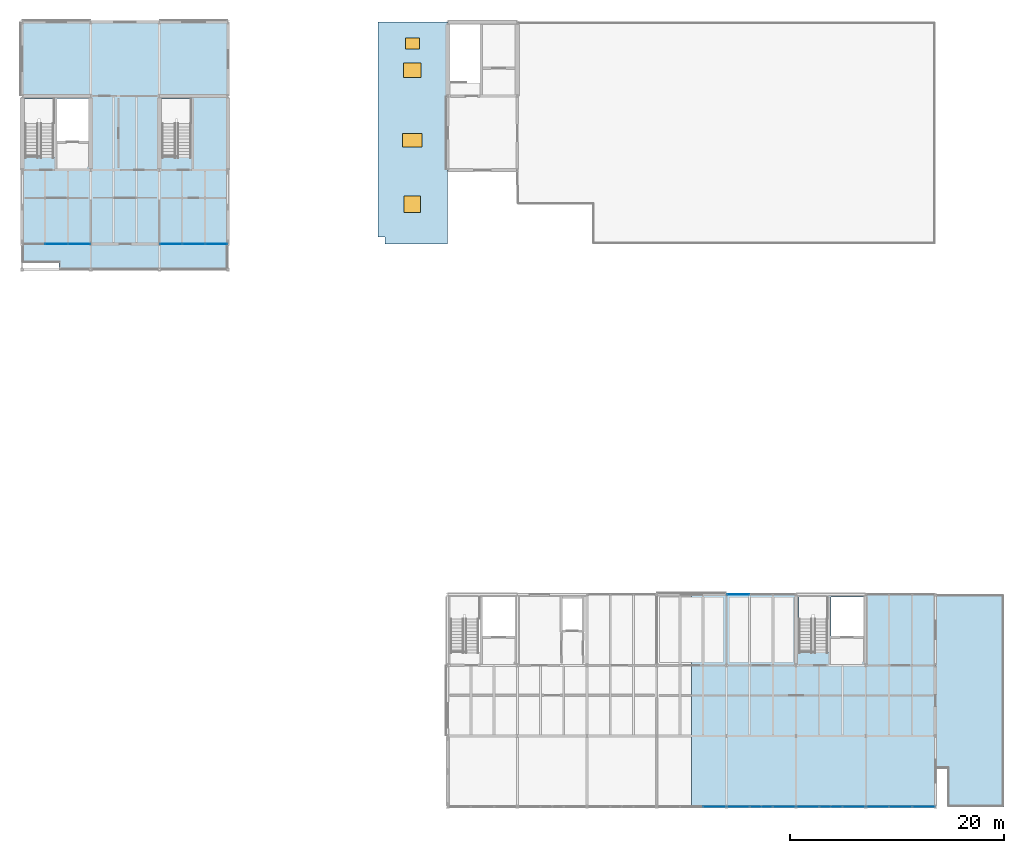
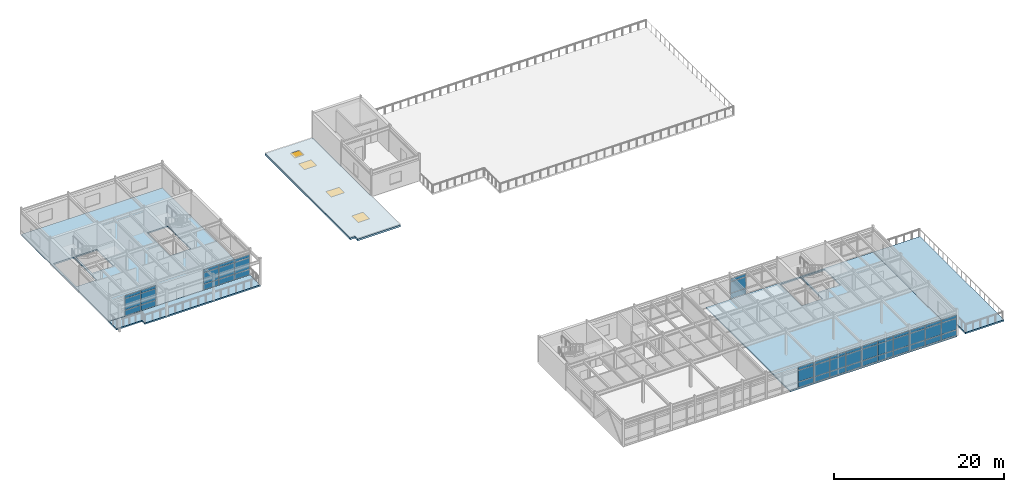
# One storey, part 14 of 26: 48 plates, 5 slabs, 3 windows, 1 door, 4 openings, 7 elements without a shape of their own.
"""IFC4 building model written with IfcOpenShell, lengths in metres."""

from ifc_helpers import new_model, si_unit, direction, frame, origin, origin_2d, place, context, subcontext, project, spatial, polyline, rectangle, outline, extrude, material, layer, layer_set, type_object, element, fill, aggregate, save


model = new_model("IFC4")

# Units and contexts
model_context = context("Model", 3, precision=1e-05, world=origin(), true_north=direction((0.0, 1.0)))
body_context = subcontext(model_context, "Body", "Model", "MODEL_VIEW")
ifc_project = project(units=[si_unit("LENGTHUNIT", "METRE"), si_unit("AREAUNIT", "SQUARE_METRE"), si_unit("VOLUMEUNIT", "CUBIC_METRE"), si_unit("PLANEANGLEUNIT", "RADIAN"), si_unit("MASSUNIT", "GRAM", prefix="KILO")], contexts=[model_context])

# Site, building, storey
site_placement = place(None, origin())
site = spatial("IfcSite", under=ifc_project, at=site_placement, CompositionType="ELEMENT")
building_placement = place(site_placement, origin())
building = spatial("IfcBuilding", under=site, at=building_placement, Name="Trelmorton Wharf Fire Station", CompositionType="ELEMENT")
storey_placement = place(building_placement, frame((0.0, 0.0, 17.39990234375)))
storey = spatial("IfcBuildingStorey", under=building, at=storey_placement, Name="L04", CompositionType="ELEMENT", Elevation=17.39990234375)

# Curtain wall, plates
ifc_material_1 = material(Name="Anodised aluminium AW-6063", Category="aluminium")
ifc_layer_1 = layer(ifc_material_1, 0.159912109375)
ifc_layer_set_1 = layer_set([ifc_layer_1], Name="Anodised aluminium AW-6063")
curtain_wall_type_1 = type_object("IfcCurtainWallType", Name="CW_CHIC_A", PredefinedType="USERDEFINED", material=ifc_layer_set_1)
curtain_wall_1_placement = place(storey_placement, origin())
curtain_wall_1 = element("IfcCurtainWall", 1, at=curtain_wall_1_placement, inside=storey, type_object=curtain_wall_type_1, Name="CW-V5-L04-076", ObjectType="CHICAGO BAY CURTAIN WALL", PredefinedType="USERDEFINED")
ifc_material_2 = material(Name="Tempered low-E double glazing", Category="glass")
ifc_layer_2 = layer(ifc_material_2, 0.028076171875)
ifc_layer_set_2 = layer_set([ifc_layer_2], Name="Tempered low-E double glazing")
plate_type_1 = type_object("IfcPlateType", Name="CWP_GLAZ_28", PredefinedType="CURTAIN_PANEL", material=ifc_layer_set_2)
plate_1_placement = place(storey_placement, frame((141.8984375, 7.800048828125, 0.06005859375), z_axis=(0.0, 0.0, 1.0), x_axis=(-1.0, 0.0, 0.0)))
plate_1 = element("IfcPlate", 2, at=plate_1_placement, type_object=plate_type_1, Name="CW1 panel 1.1", PredefinedType="CURTAIN_PANEL", context=body_context, shape_type="SweptSolid", body=[
    extrude(rectangle(XDim=2.0732421875, YDim=0.028076171875, at=origin_2d()), origin(), (0.0, 0.0, 1.0), 0.760009765625),
])
plate_2_placement = place(storey_placement, frame((141.8984375, 7.800048828125, 0.8798828125), z_axis=(0.0, 0.0, 1.0), x_axis=(-1.0, 0.0, 0.0)))
plate_2 = element("IfcPlate", 3, at=plate_2_placement, type_object=plate_type_1, Name="CW1 panel 1.2", PredefinedType="CURTAIN_PANEL", context=body_context, shape_type="SweptSolid", body=[
    extrude(rectangle(XDim=2.0732421875, YDim=0.028076171875, at=origin_2d()), origin(), (0.0, 0.0, 1.0), 1.610107421875),
])
plate_3_placement = place(storey_placement, frame((141.8984375, 7.800048828125, 2.55029296875), z_axis=(0.0, 0.0, 1.0), x_axis=(-1.0, 0.0, 0.0)))
plate_3 = element("IfcPlate", 4, at=plate_3_placement, type_object=plate_type_1, Name="CW1 panel 1.3", PredefinedType="CURTAIN_PANEL", context=body_context, shape_type="SweptSolid", body=[
    extrude(rectangle(XDim=2.0732421875, YDim=0.028076171875, at=origin_2d()), origin(), (0.0, 0.0, 1.0), 0.409912109375),
])
plate_4_placement = place(storey_placement, frame((139.75, 7.800048828125, 0.06005859375), z_axis=(0.0, 0.0, 1.0), x_axis=(-1.0, 0.0, 0.0)))
plate_4 = element("IfcPlate", 5, at=plate_4_placement, type_object=plate_type_1, Name="CW1 panel 2.1", PredefinedType="CURTAIN_PANEL", context=body_context, shape_type="SweptSolid", body=[
    extrude(rectangle(XDim=2.103271484375, YDim=0.028076171875, at=origin_2d()), origin(), (0.0, 0.0, 1.0), 0.760009765625),
])
plate_5_placement = place(storey_placement, frame((139.75, 7.800048828125, 0.8798828125), z_axis=(0.0, 0.0, 1.0), x_axis=(-1.0, 0.0, 0.0)))
plate_5 = element("IfcPlate", 6, at=plate_5_placement, type_object=plate_type_1, Name="CW1 panel 2.2", PredefinedType="CURTAIN_PANEL", context=body_context, shape_type="SweptSolid", body=[
    extrude(rectangle(XDim=2.103271484375, YDim=0.028076171875, at=origin_2d()), origin(), (0.0, 0.0, 1.0), 1.610107421875),
])
plate_6_placement = place(storey_placement, frame((139.75, 7.800048828125, 2.55029296875), z_axis=(0.0, 0.0, 1.0), x_axis=(-1.0, 0.0, 0.0)))
plate_6 = element("IfcPlate", 7, at=plate_6_placement, type_object=plate_type_1, Name="CW1 panel 2.3", PredefinedType="CURTAIN_PANEL", context=body_context, shape_type="SweptSolid", body=[
    extrude(rectangle(XDim=2.103271484375, YDim=0.028076171875, at=origin_2d()), origin(), (0.0, 0.0, 1.0), 0.409912109375),
])
plate_7_placement = place(storey_placement, frame((137.6015625, 7.800048828125, 0.06005859375), z_axis=(0.0, 0.0, 1.0), x_axis=(-1.0, 0.0, 0.0)))
plate_7 = element("IfcPlate", 8, at=plate_7_placement, type_object=plate_type_1, Name="CW1 panel 3.1", PredefinedType="CURTAIN_PANEL", context=body_context, shape_type="SweptSolid", body=[
    extrude(rectangle(XDim=2.0732421875, YDim=0.028076171875, at=origin_2d()), origin(), (0.0, 0.0, 1.0), 0.760009765625),
])
plate_8_placement = place(storey_placement, frame((137.6015625, 7.800048828125, 0.8798828125), z_axis=(0.0, 0.0, 1.0), x_axis=(-1.0, 0.0, 0.0)))
plate_8 = element("IfcPlate", 9, at=plate_8_placement, type_object=plate_type_1, Name="CW1 panel 3.2", PredefinedType="CURTAIN_PANEL", context=body_context, shape_type="SweptSolid", body=[
    extrude(rectangle(XDim=2.0732421875, YDim=0.028076171875, at=origin_2d()), origin(), (0.0, 0.0, 1.0), 1.610107421875),
])
plate_9_placement = place(storey_placement, frame((137.6015625, 7.800048828125, 2.55029296875), z_axis=(0.0, 0.0, 1.0), x_axis=(-1.0, 0.0, 0.0)))
plate_9 = element("IfcPlate", 10, at=plate_9_placement, type_object=plate_type_1, Name="CW1 panel 3.3", PredefinedType="CURTAIN_PANEL", context=body_context, shape_type="SweptSolid", body=[
    extrude(rectangle(XDim=2.0732421875, YDim=0.028076171875, at=origin_2d()), origin(), (0.0, 0.0, 1.0), 0.409912109375),
])
aggregate(curtain_wall_1, [plate_1, plate_2, plate_3, plate_4, plate_5, plate_6, plate_7, plate_8, plate_9])

ifc_layer_3 = layer(ifc_material_1, 0.175048828125)
ifc_layer_set_3 = layer_set([ifc_layer_3], Name="Anodised aluminium AW-6063")
curtain_wall_type_2 = type_object("IfcCurtainWallType", Name="CW_CHIC_B", PredefinedType="USERDEFINED", material=ifc_layer_set_3)
curtain_wall_2_placement = place(storey_placement, origin())
curtain_wall_2 = element("IfcCurtainWall", 11, at=curtain_wall_2_placement, inside=storey, type_object=curtain_wall_type_2, Name="CW-V5-L04-077", ObjectType="CHICAGO BAY CURTAIN WALL", PredefinedType="USERDEFINED")
plate_10_placement = place(storey_placement, frame((148.3984375, 7.800048828125, 0.06005859375), z_axis=(0.0, 0.0, 1.0), x_axis=(-1.0, 0.0, 0.0)))
plate_10 = element("IfcPlate", 12, at=plate_10_placement, type_object=plate_type_1, Name="CW2 panel 1.1", PredefinedType="CURTAIN_PANEL", context=body_context, shape_type="SweptSolid", body=[
    extrude(rectangle(XDim=2.0732421875, YDim=0.028076171875, at=origin_2d()), origin(), (0.0, 0.0, 1.0), 0.760009765625),
])
plate_11_placement = place(storey_placement, frame((148.3984375, 7.800048828125, 0.8798828125), z_axis=(0.0, 0.0, 1.0), x_axis=(-1.0, 0.0, 0.0)))
plate_11 = element("IfcPlate", 13, at=plate_11_placement, type_object=plate_type_1, Name="CW2 panel 1.2", PredefinedType="CURTAIN_PANEL", context=body_context, shape_type="SweptSolid", body=[
    extrude(rectangle(XDim=2.0732421875, YDim=0.028076171875, at=origin_2d()), origin(), (0.0, 0.0, 1.0), 1.610107421875),
])
plate_12_placement = place(storey_placement, frame((148.3984375, 7.800048828125, 2.55029296875), z_axis=(0.0, 0.0, 1.0), x_axis=(-1.0, 0.0, 0.0)))
plate_12 = element("IfcPlate", 14, at=plate_12_placement, type_object=plate_type_1, Name="CW2 panel 1.3", PredefinedType="CURTAIN_PANEL", context=body_context, shape_type="SweptSolid", body=[
    extrude(rectangle(XDim=2.0732421875, YDim=0.028076171875, at=origin_2d()), origin(), (0.0, 0.0, 1.0), 0.409912109375),
])
plate_13_placement = place(storey_placement, frame((146.25, 7.800048828125, 0.06005859375), z_axis=(0.0, 0.0, 1.0), x_axis=(-1.0, 0.0, 0.0)))
plate_13 = element("IfcPlate", 15, at=plate_13_placement, type_object=plate_type_1, Name="CW2 panel 2.1", PredefinedType="CURTAIN_PANEL", context=body_context, shape_type="SweptSolid", body=[
    extrude(rectangle(XDim=2.103271484375, YDim=0.028076171875, at=origin_2d()), origin(), (0.0, 0.0, 1.0), 0.760009765625),
])
plate_14_placement = place(storey_placement, frame((146.25, 7.800048828125, 0.8798828125), z_axis=(0.0, 0.0, 1.0), x_axis=(-1.0, 0.0, 0.0)))
plate_14 = element("IfcPlate", 16, at=plate_14_placement, type_object=plate_type_1, Name="CW2 panel 2.2", PredefinedType="CURTAIN_PANEL", context=body_context, shape_type="SweptSolid", body=[
    extrude(rectangle(XDim=2.103271484375, YDim=0.028076171875, at=origin_2d()), origin(), (0.0, 0.0, 1.0), 1.610107421875),
])
plate_15_placement = place(storey_placement, frame((146.25, 7.800048828125, 2.55029296875), z_axis=(0.0, 0.0, 1.0), x_axis=(-1.0, 0.0, 0.0)))
plate_15 = element("IfcPlate", 17, at=plate_15_placement, type_object=plate_type_1, Name="CW2 panel 2.3", PredefinedType="CURTAIN_PANEL", context=body_context, shape_type="SweptSolid", body=[
    extrude(rectangle(XDim=2.103271484375, YDim=0.028076171875, at=origin_2d()), origin(), (0.0, 0.0, 1.0), 0.409912109375),
])
plate_16_placement = place(storey_placement, frame((144.1015625, 7.800048828125, 0.06005859375), z_axis=(0.0, 0.0, 1.0), x_axis=(-1.0, 0.0, 0.0)))
plate_16 = element("IfcPlate", 18, at=plate_16_placement, type_object=plate_type_1, Name="CW2 panel 3.1", PredefinedType="CURTAIN_PANEL", context=body_context, shape_type="SweptSolid", body=[
    extrude(rectangle(XDim=2.0732421875, YDim=0.028076171875, at=origin_2d()), origin(), (0.0, 0.0, 1.0), 0.760009765625),
])
plate_17_placement = place(storey_placement, frame((144.1015625, 7.800048828125, 0.8798828125), z_axis=(0.0, 0.0, 1.0), x_axis=(-1.0, 0.0, 0.0)))
plate_17 = element("IfcPlate", 19, at=plate_17_placement, type_object=plate_type_1, Name="CW2 panel 3.2", PredefinedType="CURTAIN_PANEL", context=body_context, shape_type="SweptSolid", body=[
    extrude(rectangle(XDim=2.0732421875, YDim=0.028076171875, at=origin_2d()), origin(), (0.0, 0.0, 1.0), 1.610107421875),
])
plate_18_placement = place(storey_placement, frame((144.1015625, 7.800048828125, 2.55029296875), z_axis=(0.0, 0.0, 1.0), x_axis=(-1.0, 0.0, 0.0)))
plate_18 = element("IfcPlate", 20, at=plate_18_placement, type_object=plate_type_1, Name="CW2 panel 3.3", PredefinedType="CURTAIN_PANEL", context=body_context, shape_type="SweptSolid", body=[
    extrude(rectangle(XDim=2.0732421875, YDim=0.028076171875, at=origin_2d()), origin(), (0.0, 0.0, 1.0), 0.409912109375),
])
aggregate(curtain_wall_2, [plate_10, plate_11, plate_12, plate_13, plate_14, plate_15, plate_16, plate_17, plate_18])

ifc_layer_4 = layer(ifc_material_1, 0.14990234375)
ifc_layer_set_4 = layer_set([ifc_layer_4], Name="Anodised aluminium AW-6063")
curtain_wall_type_3 = type_object("IfcCurtainWallType", Name="CW_UNIT_A", PredefinedType="USERDEFINED", material=ifc_layer_set_4)
curtain_wall_3_placement = place(storey_placement, origin())
curtain_wall_3 = element("IfcCurtainWall", 21, at=curtain_wall_3_placement, inside=storey, type_object=curtain_wall_type_3, Name="CW-V5-L04-080", ObjectType="UNITISED CURTAIN WALL", PredefinedType="USERDEFINED")
plate_19_placement = place(storey_placement, frame((137.6015625, 27.60009765625, 0.06005859375), z_axis=(0.0, 0.0, 1.0), x_axis=(1.0, 0.0, 0.0)))
plate_19 = element("IfcPlate", 22, at=plate_19_placement, type_object=plate_type_1, Name="CW3 panel 1.1", PredefinedType="CURTAIN_PANEL", context=body_context, shape_type="SweptSolid", body=[
    extrude(rectangle(XDim=2.0732421875, YDim=0.028076171875, at=origin_2d()), origin(), (0.0, 0.0, 1.0), 0.760009765625),
])
plate_20_placement = place(storey_placement, frame((137.6015625, 27.60009765625, 0.8798828125), z_axis=(0.0, 0.0, 1.0), x_axis=(1.0, 0.0, 0.0)))
plate_20 = element("IfcPlate", 23, at=plate_20_placement, type_object=plate_type_1, Name="CW3 panel 1.2", PredefinedType="CURTAIN_PANEL", context=body_context, shape_type="SweptSolid", body=[
    extrude(rectangle(XDim=2.0732421875, YDim=0.028076171875, at=origin_2d()), origin(), (0.0, 0.0, 1.0), 1.610107421875),
])
plate_21_placement = place(storey_placement, frame((137.6015625, 27.60009765625, 2.55029296875), z_axis=(0.0, 0.0, 1.0), x_axis=(1.0, 0.0, 0.0)))
plate_21 = element("IfcPlate", 24, at=plate_21_placement, type_object=plate_type_1, Name="CW3 panel 1.3", PredefinedType="CURTAIN_PANEL", context=body_context, shape_type="SweptSolid", body=[
    extrude(rectangle(XDim=2.0732421875, YDim=0.028076171875, at=origin_2d()), origin(), (0.0, 0.0, 1.0), 0.409912109375),
])
aggregate(curtain_wall_3, [plate_19, plate_20, plate_21])

curtain_wall_4_placement = place(storey_placement, origin())
curtain_wall_4 = element("IfcCurtainWall", 25, at=curtain_wall_4_placement, inside=storey, type_object=curtain_wall_type_1, Name="CW-V2-L04-106", ObjectType="CHICAGO BAY CURTAIN WALL", PredefinedType="USERDEFINED")
plate_22_placement = place(storey_placement, frame((88.9150390625, 60.300048828125, 0.06005859375), z_axis=(0.0, 0.0, 1.0), x_axis=(-1.0, 0.0, 0.0)))
plate_22 = element("IfcPlate", 26, at=plate_22_placement, type_object=plate_type_1, Name="CW1 panel 1.1", PredefinedType="CURTAIN_PANEL", context=body_context, shape_type="SweptSolid", body=[
    extrude(rectangle(XDim=2.0400390625, YDim=0.028076171875, at=origin_2d()), origin(), (0.0, 0.0, 1.0), 0.760009765625),
])
plate_23_placement = place(storey_placement, frame((88.9150390625, 60.300048828125, 0.8798828125), z_axis=(0.0, 0.0, 1.0), x_axis=(-1.0, 0.0, 0.0)))
plate_23 = element("IfcPlate", 27, at=plate_23_placement, type_object=plate_type_1, Name="CW1 panel 1.2", PredefinedType="CURTAIN_PANEL", context=body_context, shape_type="SweptSolid", body=[
    extrude(rectangle(XDim=2.0400390625, YDim=0.028076171875, at=origin_2d()), origin(), (0.0, 0.0, 1.0), 1.610107421875),
])
plate_24_placement = place(storey_placement, frame((88.9150390625, 60.300048828125, 2.55029296875), z_axis=(0.0, 0.0, 1.0), x_axis=(-1.0, 0.0, 0.0)))
plate_24 = element("IfcPlate", 28, at=plate_24_placement, type_object=plate_type_1, Name="CW1 panel 1.3", PredefinedType="CURTAIN_PANEL", context=body_context, shape_type="SweptSolid", body=[
    extrude(rectangle(XDim=2.0400390625, YDim=0.028076171875, at=origin_2d()), origin(), (0.0, 0.0, 1.0), 0.409912109375),
])
plate_25_placement = place(storey_placement, frame((86.800048828125, 60.300048828125, 0.06005859375), z_axis=(0.0, 0.0, 1.0), x_axis=(-1.0, 0.0, 0.0)))
plate_25 = element("IfcPlate", 29, at=plate_25_placement, type_object=plate_type_1, Name="CW1 panel 2.1", PredefinedType="CURTAIN_PANEL", context=body_context, shape_type="SweptSolid", body=[
    extrude(rectangle(XDim=2.070068359375, YDim=0.028076171875, at=origin_2d()), origin(), (0.0, 0.0, 1.0), 0.760009765625),
])
plate_26_placement = place(storey_placement, frame((86.800048828125, 60.300048828125, 0.8798828125), z_axis=(0.0, 0.0, 1.0), x_axis=(-1.0, 0.0, 0.0)))
plate_26 = element("IfcPlate", 30, at=plate_26_placement, type_object=plate_type_1, Name="CW1 panel 2.2", PredefinedType="CURTAIN_PANEL", context=body_context, shape_type="SweptSolid", body=[
    extrude(rectangle(XDim=2.070068359375, YDim=0.028076171875, at=origin_2d()), origin(), (0.0, 0.0, 1.0), 1.610107421875),
])
plate_27_placement = place(storey_placement, frame((86.800048828125, 60.300048828125, 2.55029296875), z_axis=(0.0, 0.0, 1.0), x_axis=(-1.0, 0.0, 0.0)))
plate_27 = element("IfcPlate", 31, at=plate_27_placement, type_object=plate_type_1, Name="CW1 panel 2.3", PredefinedType="CURTAIN_PANEL", context=body_context, shape_type="SweptSolid", body=[
    extrude(rectangle(XDim=2.070068359375, YDim=0.028076171875, at=origin_2d()), origin(), (0.0, 0.0, 1.0), 0.409912109375),
])
plate_28_placement = place(storey_placement, frame((84.68505859375, 60.300048828125, 0.06005859375), z_axis=(0.0, 0.0, 1.0), x_axis=(-1.0, 0.0, 0.0)))
plate_28 = element("IfcPlate", 32, at=plate_28_placement, type_object=plate_type_1, Name="CW1 panel 3.1", PredefinedType="CURTAIN_PANEL", context=body_context, shape_type="SweptSolid", body=[
    extrude(rectangle(XDim=2.0400390625, YDim=0.028076171875, at=origin_2d()), origin(), (0.0, 0.0, 1.0), 0.760009765625),
])
plate_29_placement = place(storey_placement, frame((84.68505859375, 60.300048828125, 0.8798828125), z_axis=(0.0, 0.0, 1.0), x_axis=(-1.0, 0.0, 0.0)))
plate_29 = element("IfcPlate", 33, at=plate_29_placement, type_object=plate_type_1, Name="CW1 panel 3.2", PredefinedType="CURTAIN_PANEL", context=body_context, shape_type="SweptSolid", body=[
    extrude(rectangle(XDim=2.0400390625, YDim=0.028076171875, at=origin_2d()), origin(), (0.0, 0.0, 1.0), 1.610107421875),
])
plate_30_placement = place(storey_placement, frame((84.68505859375, 60.300048828125, 2.55029296875), z_axis=(0.0, 0.0, 1.0), x_axis=(-1.0, 0.0, 0.0)))
plate_30 = element("IfcPlate", 34, at=plate_30_placement, type_object=plate_type_1, Name="CW1 panel 3.3", PredefinedType="CURTAIN_PANEL", context=body_context, shape_type="SweptSolid", body=[
    extrude(rectangle(XDim=2.0400390625, YDim=0.028076171875, at=origin_2d()), origin(), (0.0, 0.0, 1.0), 0.409912109375),
])
aggregate(curtain_wall_4, [plate_22, plate_23, plate_24, plate_25, plate_26, plate_27, plate_28, plate_29, plate_30])

curtain_wall_5_placement = place(storey_placement, origin())
curtain_wall_5 = element("IfcCurtainWall", 35, at=curtain_wall_5_placement, inside=storey, type_object=curtain_wall_type_2, Name="CW-V5-L04-075", ObjectType="CHICAGO BAY CURTAIN WALL", PredefinedType="USERDEFINED")
ifc_layer_5 = layer(ifc_material_2, 0.028076171875)
ifc_layer_set_5 = layer_set([ifc_layer_5], Name="Tempered low-E double glazing")
plate_type_2 = type_object("IfcPlateType", Name="CWP_GLAZ_38", PredefinedType="CURTAIN_PANEL", material=ifc_layer_set_5)
plate_31_placement = place(storey_placement, frame((135.3984375, 7.800048828125, 0.06005859375), z_axis=(0.0, 0.0, 1.0), x_axis=(-1.0, 0.0, 0.0)))
plate_31 = element("IfcPlate", 36, at=plate_31_placement, type_object=plate_type_2, Name="CW2 panel 1.1", PredefinedType="CURTAIN_PANEL", context=body_context, shape_type="SweptSolid", body=[
    extrude(rectangle(XDim=2.0732421875, YDim=0.028076171875, at=origin_2d()), origin(), (0.0, 0.0, 1.0), 0.760009765625),
])
plate_32_placement = place(storey_placement, frame((135.3984375, 7.800048828125, 0.8798828125), z_axis=(0.0, 0.0, 1.0), x_axis=(-1.0, 0.0, 0.0)))
plate_32 = element("IfcPlate", 37, at=plate_32_placement, type_object=plate_type_2, Name="CW2 panel 1.2", PredefinedType="CURTAIN_PANEL", context=body_context, shape_type="SweptSolid", body=[
    extrude(rectangle(XDim=2.0732421875, YDim=0.028076171875, at=origin_2d()), origin(), (0.0, 0.0, 1.0), 1.610107421875),
])
plate_33_placement = place(storey_placement, frame((135.3984375, 7.800048828125, 2.55029296875), z_axis=(0.0, 0.0, 1.0), x_axis=(-1.0, 0.0, 0.0)))
plate_33 = element("IfcPlate", 38, at=plate_33_placement, type_object=plate_type_2, Name="CW2 panel 1.3", PredefinedType="CURTAIN_PANEL", context=body_context, shape_type="SweptSolid", body=[
    extrude(rectangle(XDim=2.0732421875, YDim=0.028076171875, at=origin_2d()), origin(), (0.0, 0.0, 1.0), 0.409912109375),
])
aggregate(curtain_wall_5, [plate_31, plate_32, plate_33])

curtain_wall_6_placement = place(storey_placement, origin())
curtain_wall_6 = element("IfcCurtainWall", 39, at=curtain_wall_6_placement, inside=storey, type_object=curtain_wall_type_1, Name="CW-V2-L04-105", ObjectType="CHICAGO BAY CURTAIN WALL", PredefinedType="USERDEFINED")
plate_34_placement = place(storey_placement, frame((76.114990234375, 60.300048828125, 0.06005859375), z_axis=(0.0, 0.0, 1.0), x_axis=(-1.0, 0.0, 0.0)))
plate_34 = element("IfcPlate", 40, at=plate_34_placement, type_object=plate_type_2, Name="CW1 panel 1.1", PredefinedType="CURTAIN_PANEL", context=body_context, shape_type="SweptSolid", body=[
    extrude(rectangle(XDim=2.0400390625, YDim=0.028076171875, at=origin_2d()), origin(), (0.0, 0.0, 1.0), 0.760009765625),
])
plate_35_placement = place(storey_placement, frame((76.114990234375, 60.300048828125, 0.8798828125), z_axis=(0.0, 0.0, 1.0), x_axis=(-1.0, 0.0, 0.0)))
plate_35 = element("IfcPlate", 41, at=plate_35_placement, type_object=plate_type_2, Name="CW1 panel 1.2", PredefinedType="CURTAIN_PANEL", context=body_context, shape_type="SweptSolid", body=[
    extrude(rectangle(XDim=2.0400390625, YDim=0.028076171875, at=origin_2d()), origin(), (0.0, 0.0, 1.0), 1.610107421875),
])
plate_36_placement = place(storey_placement, frame((76.114990234375, 60.300048828125, 2.55029296875), z_axis=(0.0, 0.0, 1.0), x_axis=(-1.0, 0.0, 0.0)))
plate_36 = element("IfcPlate", 42, at=plate_36_placement, type_object=plate_type_2, Name="CW1 panel 1.3", PredefinedType="CURTAIN_PANEL", context=body_context, shape_type="SweptSolid", body=[
    extrude(rectangle(XDim=2.0400390625, YDim=0.028076171875, at=origin_2d()), origin(), (0.0, 0.0, 1.0), 0.409912109375),
])
plate_37_placement = place(storey_placement, frame((74.0, 60.300048828125, 0.06005859375), z_axis=(0.0, 0.0, 1.0), x_axis=(-1.0, 0.0, 0.0)))
plate_37 = element("IfcPlate", 43, at=plate_37_placement, type_object=plate_type_2, Name="CW1 panel 2.1", PredefinedType="CURTAIN_PANEL", context=body_context, shape_type="SweptSolid", body=[
    extrude(rectangle(XDim=2.070068359375, YDim=0.028076171875, at=origin_2d()), origin(), (0.0, 0.0, 1.0), 0.760009765625),
])
plate_38_placement = place(storey_placement, frame((74.0, 60.300048828125, 0.8798828125), z_axis=(0.0, 0.0, 1.0), x_axis=(-1.0, 0.0, 0.0)))
plate_38 = element("IfcPlate", 44, at=plate_38_placement, type_object=plate_type_2, Name="CW1 panel 2.2", PredefinedType="CURTAIN_PANEL", context=body_context, shape_type="SweptSolid", body=[
    extrude(rectangle(XDim=2.070068359375, YDim=0.028076171875, at=origin_2d()), origin(), (0.0, 0.0, 1.0), 1.610107421875),
])
plate_39_placement = place(storey_placement, frame((74.0, 60.300048828125, 2.55029296875), z_axis=(0.0, 0.0, 1.0), x_axis=(-1.0, 0.0, 0.0)))
plate_39 = element("IfcPlate", 45, at=plate_39_placement, type_object=plate_type_2, Name="CW1 panel 2.3", PredefinedType="CURTAIN_PANEL", context=body_context, shape_type="SweptSolid", body=[
    extrude(rectangle(XDim=2.070068359375, YDim=0.028076171875, at=origin_2d()), origin(), (0.0, 0.0, 1.0), 0.409912109375),
])
aggregate(curtain_wall_6, [plate_34, plate_35, plate_36, plate_37, plate_38, plate_39])

curtain_wall_7_placement = place(storey_placement, origin())
curtain_wall_7 = element("IfcCurtainWall", 46, at=curtain_wall_7_placement, inside=storey, type_object=curtain_wall_type_1, Name="CW-V5-L04-078", ObjectType="CHICAGO BAY CURTAIN WALL", PredefinedType="USERDEFINED")
ifc_material_3 = material(Name="Ceramic-fritted spandrel glazing", Category="glass")
ifc_layer_6 = layer(ifc_material_3, 0.028076171875)
ifc_layer_set_6 = layer_set([ifc_layer_6], Name="Ceramic-fritted spandrel glazing")
plate_type_3 = type_object("IfcPlateType", Name="CWP_SPAN_48", PredefinedType="CURTAIN_PANEL", material=ifc_layer_set_6)
plate_40_placement = place(storey_placement, frame((154.8984375, 7.800048828125, 0.06005859375), z_axis=(0.0, 0.0, 1.0), x_axis=(-1.0, 0.0, 0.0)))
plate_40 = element("IfcPlate", 47, at=plate_40_placement, type_object=plate_type_3, Name="CW1 panel 1.1", PredefinedType="CURTAIN_PANEL", context=body_context, shape_type="SweptSolid", body=[
    extrude(rectangle(XDim=2.0732421875, YDim=0.028076171875, at=origin_2d()), origin(), (0.0, 0.0, 1.0), 0.760009765625),
])
plate_41_placement = place(storey_placement, frame((154.8984375, 7.800048828125, 0.8798828125), z_axis=(0.0, 0.0, 1.0), x_axis=(-1.0, 0.0, 0.0)))
plate_41 = element("IfcPlate", 48, at=plate_41_placement, type_object=plate_type_3, Name="CW1 panel 1.2", PredefinedType="CURTAIN_PANEL", context=body_context, shape_type="SweptSolid", body=[
    extrude(rectangle(XDim=2.0732421875, YDim=0.028076171875, at=origin_2d()), origin(), (0.0, 0.0, 1.0), 1.610107421875),
])
plate_42_placement = place(storey_placement, frame((154.8984375, 7.800048828125, 2.55029296875), z_axis=(0.0, 0.0, 1.0), x_axis=(-1.0, 0.0, 0.0)))
plate_42 = element("IfcPlate", 49, at=plate_42_placement, type_object=plate_type_3, Name="CW1 panel 1.3", PredefinedType="CURTAIN_PANEL", context=body_context, shape_type="SweptSolid", body=[
    extrude(rectangle(XDim=2.0732421875, YDim=0.028076171875, at=origin_2d()), origin(), (0.0, 0.0, 1.0), 0.409912109375),
])
plate_43_placement = place(storey_placement, frame((152.75, 7.800048828125, 0.06005859375), z_axis=(0.0, 0.0, 1.0), x_axis=(-1.0, 0.0, 0.0)))
plate_43 = element("IfcPlate", 50, at=plate_43_placement, type_object=plate_type_3, Name="CW1 panel 2.1", PredefinedType="CURTAIN_PANEL", context=body_context, shape_type="SweptSolid", body=[
    extrude(rectangle(XDim=2.103271484375, YDim=0.028076171875, at=origin_2d()), origin(), (0.0, 0.0, 1.0), 0.760009765625),
])
plate_44_placement = place(storey_placement, frame((152.75, 7.800048828125, 0.8798828125), z_axis=(0.0, 0.0, 1.0), x_axis=(-1.0, 0.0, 0.0)))
plate_44 = element("IfcPlate", 51, at=plate_44_placement, type_object=plate_type_3, Name="CW1 panel 2.2", PredefinedType="CURTAIN_PANEL", context=body_context, shape_type="SweptSolid", body=[
    extrude(rectangle(XDim=2.103271484375, YDim=0.028076171875, at=origin_2d()), origin(), (0.0, 0.0, 1.0), 1.610107421875),
])
plate_45_placement = place(storey_placement, frame((152.75, 7.800048828125, 2.55029296875), z_axis=(0.0, 0.0, 1.0), x_axis=(-1.0, 0.0, 0.0)))
plate_45 = element("IfcPlate", 52, at=plate_45_placement, type_object=plate_type_3, Name="CW1 panel 2.3", PredefinedType="CURTAIN_PANEL", context=body_context, shape_type="SweptSolid", body=[
    extrude(rectangle(XDim=2.103271484375, YDim=0.028076171875, at=origin_2d()), origin(), (0.0, 0.0, 1.0), 0.409912109375),
])
plate_46_placement = place(storey_placement, frame((150.6015625, 7.800048828125, 0.06005859375), z_axis=(0.0, 0.0, 1.0), x_axis=(-1.0, 0.0, 0.0)))
plate_46 = element("IfcPlate", 53, at=plate_46_placement, type_object=plate_type_3, Name="CW1 panel 3.1", PredefinedType="CURTAIN_PANEL", context=body_context, shape_type="SweptSolid", body=[
    extrude(rectangle(XDim=2.0732421875, YDim=0.028076171875, at=origin_2d()), origin(), (0.0, 0.0, 1.0), 0.760009765625),
])
plate_47_placement = place(storey_placement, frame((150.6015625, 7.800048828125, 0.8798828125), z_axis=(0.0, 0.0, 1.0), x_axis=(-1.0, 0.0, 0.0)))
plate_47 = element("IfcPlate", 54, at=plate_47_placement, type_object=plate_type_3, Name="CW1 panel 3.2", PredefinedType="CURTAIN_PANEL", context=body_context, shape_type="SweptSolid", body=[
    extrude(rectangle(XDim=2.0732421875, YDim=0.028076171875, at=origin_2d()), origin(), (0.0, 0.0, 1.0), 1.610107421875),
])
plate_48_placement = place(storey_placement, frame((150.6015625, 7.800048828125, 2.55029296875), z_axis=(0.0, 0.0, 1.0), x_axis=(-1.0, 0.0, 0.0)))
plate_48 = element("IfcPlate", 55, at=plate_48_placement, type_object=plate_type_3, Name="CW1 panel 3.3", PredefinedType="CURTAIN_PANEL", context=body_context, shape_type="SweptSolid", body=[
    extrude(rectangle(XDim=2.0732421875, YDim=0.028076171875, at=origin_2d()), origin(), (0.0, 0.0, 1.0), 0.409912109375),
])
aggregate(curtain_wall_7, [plate_40, plate_41, plate_42, plate_43, plate_44, plate_45, plate_46, plate_47, plate_48])

# Slabs
ifc_material_4 = material(Name="Concrete 40 MPa", Category="concrete")
ifc_layer_7 = layer(ifc_material_4, 0.199951171875)
ifc_layer_set_7 = layer_set([ifc_layer_7], Name="Concrete 40 MPa")
slab_type_1 = type_object("IfcSlabType", Name="SL_FLOOR_200", PredefinedType="FLOOR", material=ifc_layer_set_7)
slab_1_placement = place(storey_placement, frame((0.0, 0.0, -0.199951171875)))
element("IfcSlab", 56, at=slab_1_placement, inside=storey, type_object=slab_type_1, Name="SL-V5-L04-026", PredefinedType="FLOOR", context=body_context, shape_type="SweptSolid", body=[
    extrude(outline(polyline([(156.0, 27.60009765625), (156.0, 7.800048828125), (133.25, 7.800048828125), (133.25, 27.60009765625), (156.0, 27.60009765625)]), holes=[polyline([(143.219970703125, 22.239990234375), (146.010009765625, 22.239990234375), (146.010009765625, 27.3798828125), (143.219970703125, 27.3798828125), (143.219970703125, 22.239990234375)]), polyline([(146.239990234375, 27.3798828125), (146.239990234375, 23.719970703125), (149.280029296875, 23.719970703125), (149.280029296875, 27.3798828125), (146.239990234375, 27.3798828125)])]), origin(), (0.0, 0.0, 1.0), 0.199951171875),
])
slab_2_placement = place(storey_placement, frame((0.0, 0.0, -0.199951171875)))
element("IfcSlab", 57, at=slab_2_placement, inside=storey, type_object=slab_type_1, Name="SL-V2-L04-046", PredefinedType="FLOOR", context=body_context, shape_type="SweptSolid", body=[
    extrude(outline(polyline([(90.0, 81.0), (90.0, 60.300048828125), (70.800048828125, 60.300048828125), (70.800048828125, 81.0), (90.0, 81.0)]), holes=[polyline([(71.02001953125, 68.43994140625), (73.81005859375, 68.43994140625), (73.81005859375, 73.8798828125), (71.02001953125, 73.8798828125), (71.02001953125, 68.43994140625)]), polyline([(74.0400390625, 73.8798828125), (74.0400390625, 69.919921875), (76.97998046875, 69.919921875), (76.97998046875, 73.8798828125), (74.0400390625, 73.8798828125)]), polyline([(86.610107421875, 73.8798828125), (83.820068359375, 73.8798828125), (83.820068359375, 68.43994140625), (86.610107421875, 68.43994140625), (86.610107421875, 73.8798828125)])]), origin(), (0.0, 0.0, 1.0), 0.199951171875),
])

# Slab, openings, windows, door
ifc_layer_8 = layer(ifc_material_4, 0.27001953125)
ifc_layer_set_8 = layer_set([ifc_layer_8], Name="Concrete 40 MPa")
slab_type_2 = type_object("IfcSlabType", Name="SL_ROOF_FLAT_190", PredefinedType="ROOF", material=ifc_layer_set_8)
slab_3_placement = place(storey_placement, frame((0.0, 0.0, -0.27001953125)))
slab_3 = element("IfcSlab", 58, at=slab_3_placement, inside=storey, type_object=slab_type_2, Name="SL-ROOF-V4-TOP", PredefinedType="ROOF", context=body_context, shape_type="SweptSolid", body=[
    extrude(outline(polyline([(110.5, 81.0), (110.5, 60.300048828125), (104.64990234375, 60.300048828125), (104.64990234375, 60.949951171875), (104.0, 60.949951171875), (104.0, 81.0), (110.5, 81.0)]), holes=[polyline([(107.675048828125, 79.47509765625), (106.72509765625, 79.47509765625), (106.72509765625, 78.52490234375), (107.675048828125, 78.52490234375), (107.675048828125, 79.47509765625)])]), origin(), (0.0, 0.0, 1.0), 0.27001953125),
])
opening_1_placement = place(slab_3_placement, frame((107.199951171875, 64.0, 0.0)))
opening_1 = element("IfcOpeningElement", 59, at=opening_1_placement, cuts=slab_3, Name="Opening SK03", PredefinedType="OPENING", context=body_context, shape_type="SweptSolid", body=[
    extrude(rectangle(XDim=1.550048828125, YDim=1.550048828125, at=origin_2d()), origin(), (0.0, 0.0, 1.0), 0.27001953125),
])
opening_2_placement = place(slab_3_placement, frame((107.199951171875, 70.0, 0.0)))
opening_2 = element("IfcOpeningElement", 60, at=opening_2_placement, cuts=slab_3, Name="Opening SK04", PredefinedType="OPENING", context=body_context, shape_type="SweptSolid", body=[
    extrude(rectangle(XDim=1.800048828125, YDim=1.25, at=origin_2d()), origin(), (0.0, 0.0, 1.0), 0.27001953125),
])
opening_3_placement = place(slab_3_placement, frame((107.199951171875, 76.5, 0.0)))
opening_3 = element("IfcOpeningElement", 61, at=opening_3_placement, cuts=slab_3, Name="Opening LDM06", PredefinedType="OPENING", context=body_context, shape_type="SweptSolid", body=[
    extrude(rectangle(XDim=1.64990234375, YDim=1.35009765625, at=origin_2d()), origin(), (0.0, 0.0, 1.0), 0.27001953125),
])
opening_4_placement = place(slab_3_placement, frame((107.199951171875, 79.0, 0.0)))
opening_4 = element("IfcOpeningElement", 62, at=opening_4_placement, cuts=slab_3, Name="Opening HT-06", PredefinedType="OPENING", context=body_context, shape_type="SweptSolid", body=[
    extrude(rectangle(XDim=1.300048828125, YDim=1.050048828125, at=origin_2d()), origin(), (0.0, 0.0, 1.0), 0.27001953125),
])
window_type_1 = type_object("IfcWindowType", Name="DOM_D06", PartitioningType="SINGLE_PANEL", PredefinedType="LIGHTDOME", material=ifc_material_2)
window_1_placement = place(opening_3_placement, frame((0.0, 0.0, 0.219970703125)))
window_1 = element("IfcWindow", 63, at=window_1_placement, inside=storey, type_object=window_type_1, Name="DOM-06", OverallHeight=1.35009765625, OverallWidth=1.64990234375, PartitioningType="SINGLE_PANEL", PredefinedType="LIGHTDOME", context=body_context, shape_type="SweptSolid", body=[
    extrude(rectangle(XDim=1.64990234375, YDim=1.35009765625, at=origin_2d()), origin(), (0.0, 0.0, 1.0), 0.050048828125),
])
fill(opening_3, window_1)
door_type = type_object("IfcDoorType", Name="DR_TRAP_130", OperationType="SINGLE_SWING_LEFT", PredefinedType="TRAPDOOR", material=ifc_material_1)
door_placement = place(opening_4_placement, frame((0.0, 0.0, 0.219970703125)))
door = element("IfcDoor", 64, at=door_placement, inside=storey, type_object=door_type, Name="Roof Access Trapdoor HT-06", OperationType="SINGLE_SWING_LEFT", OverallHeight=1.050048828125, OverallWidth=1.300048828125, PredefinedType="TRAPDOOR", context=body_context, shape_type="SweptSolid", body=[
    extrude(rectangle(XDim=1.300048828125, YDim=1.050048828125, at=origin_2d()), origin(), (0.0, 0.0, 1.0), 0.050048828125),
])
fill(opening_4, door)
window_type_2 = type_object("IfcWindowType", Name="SKY_S03", PartitioningType="SINGLE_PANEL", PredefinedType="SKYLIGHT", material=ifc_material_2)
window_2_placement = place(opening_1_placement, frame((0.0, 0.0, 0.219970703125)))
window_2 = element("IfcWindow", 65, at=window_2_placement, inside=storey, type_object=window_type_2, Name="SKY-07", OverallHeight=1.550048828125, OverallWidth=1.550048828125, PartitioningType="SINGLE_PANEL", PredefinedType="SKYLIGHT", context=body_context, shape_type="SweptSolid", body=[
    extrude(rectangle(XDim=1.550048828125, YDim=1.550048828125, at=origin_2d()), origin(), (0.0, 0.0, 1.0), 0.050048828125),
])
fill(opening_1, window_2)
window_type_3 = type_object("IfcWindowType", Name="SKY_S04", PartitioningType="SINGLE_PANEL", PredefinedType="SKYLIGHT", material=ifc_material_2)
window_3_placement = place(opening_2_placement, frame((0.0, 0.0, 0.219970703125)))
window_3 = element("IfcWindow", 66, at=window_3_placement, inside=storey, type_object=window_type_3, Name="SKY-08", OverallHeight=1.25, OverallWidth=1.800048828125, PartitioningType="SINGLE_PANEL", PredefinedType="SKYLIGHT", context=body_context, shape_type="SweptSolid", body=[
    extrude(rectangle(XDim=1.800048828125, YDim=1.25, at=origin_2d()), origin(), (0.0, 0.0, 1.0), 0.050048828125),
])
fill(opening_2, window_3)

# Slabs
ifc_layer_9 = layer(ifc_material_4, 0.2099609375)
ifc_layer_set_9 = layer_set([ifc_layer_9], Name="Concrete 40 MPa")
slab_type_3 = type_object("IfcSlabType", Name="SL_TERRACE_210", PredefinedType="FLOOR", material=ifc_layer_set_9)
slab_4_placement = place(storey_placement, frame((0.0, 0.0, -0.2099609375)))
element("IfcSlab", 67, at=slab_4_placement, inside=storey, type_object=slab_type_3, Name="SL-EXT-V5_TERRACE_E_L04", PredefinedType="FLOOR", context=body_context, shape_type="SweptSolid", body=[
    extrude(outline(polyline([(156.0, 27.60009765625), (162.39990234375, 27.60009765625), (162.39990234375, 7.800048828125), (157.152099609375, 7.800048828125), (157.152099609375, 11.364013671875), (156.0, 11.364013671875), (156.0, 27.60009765625)])), origin(), (0.0, 0.0, 1.0), 0.2099609375),
])
slab_5_placement = place(storey_placement, frame((0.0, 0.0, -0.2099609375)))
element("IfcSlab", 68, at=slab_5_placement, inside=storey, type_object=slab_type_3, Name="SL-EXT-V2_ABSEIL_BALC_L04", PredefinedType="FLOOR", context=body_context, shape_type="SweptSolid", body=[
    extrude(outline(polyline([(70.800048828125, 60.300048828125), (90.0, 60.300048828125), (90.0, 57.89990234375), (74.256103515625, 57.89990234375), (74.256103515625, 58.550048828125), (70.800048828125, 58.550048828125), (70.800048828125, 60.300048828125)])), origin(), (0.0, 0.0, 1.0), 0.2099609375),
])

save(model, "model.ifc")
